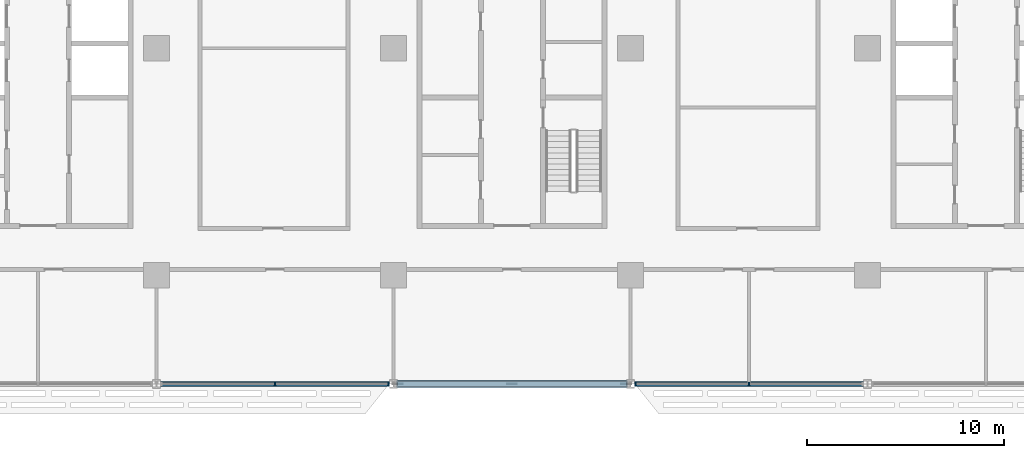
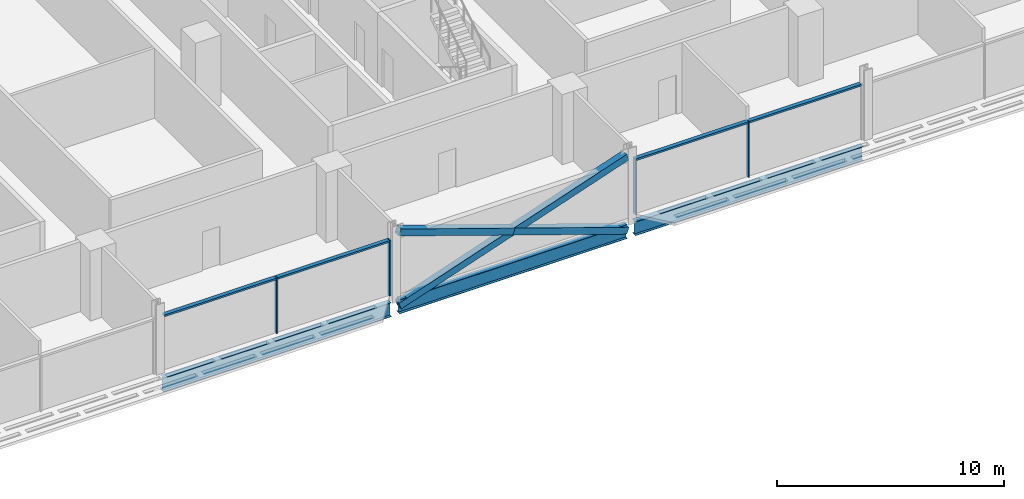
# One storey, part 5 of 28: 11 members, 3 beams, 2 elements without a shape of their own.
"""IFC4 building model written with IfcOpenShell, lengths in metres."""

from ifc_helpers import new_model, si_unit, direction, frame, origin, origin_2d, place, context, subcontext, project, spatial, rectangle, hollow_rectangle, i_section, extrude, material, material_profile, profile_set, type_object, element, aggregate, save


model = new_model("IFC4")

# Units and contexts
model_context = context("Model", 3, precision=1e-05, world=origin(), true_north=direction((0.0, 1.0)))
body_context = subcontext(model_context, "Body", "Model", "MODEL_VIEW")
ifc_project = project(units=[si_unit("LENGTHUNIT", "METRE"), si_unit("AREAUNIT", "SQUARE_METRE"), si_unit("VOLUMEUNIT", "CUBIC_METRE"), si_unit("PLANEANGLEUNIT", "RADIAN"), si_unit("MASSUNIT", "GRAM", prefix="KILO")], contexts=[model_context])

# Site, building, storey
site_placement = place(None, origin())
site = spatial("IfcSite", under=ifc_project, at=site_placement, CompositionType="ELEMENT")
building_placement = place(site_placement, origin())
building = spatial("IfcBuilding", under=site, at=building_placement, Name="Mahtab Terrace Research Tower", CompositionType="ELEMENT")
storey_placement = place(building_placement, frame((0.0, 0.0, 130.199951171875)))
storey = spatial("IfcBuildingStorey", under=building, at=storey_placement, Name="L30", CompositionType="ELEMENT", Elevation=130.199951171875)

# Members
ifc_material_1 = material(Name="Steel ASTM A500 Gr C", Category="steel")
ifc_material_profile_1 = material_profile(ifc_material_1, hollow_rectangle(XDim=0.355712890625, YDim=0.355712890625, WallThickness=0.01904296875, at=origin_2d()), Name="HSS14X14X3/4")
ifc_profile_set_1 = profile_set([ifc_material_profile_1], Name="Steel ASTM A500 Gr C")
member_type_1 = type_object("IfcMemberType", Name="HSS 14x14x3/4 brace XB141434", PredefinedType="BRACE", material=ifc_profile_set_1)
member_1_placement = place(storey_placement, frame((-5.794189453125, -17.0, -0.648193359375), z_axis=(0.946288278, 0.0, 0.323324132908), x_axis=(0.0, 1.0, 0.0)))
element("IfcMember", 1, at=member_1_placement, inside=storey, type_object=member_type_1, Name="Exoskeleton brace L30 17 a", PredefinedType="BRACE", context=body_context, shape_type="SweptSolid", body=[
    extrude(hollow_rectangle(XDim=0.355712890625, YDim=0.355712890625, WallThickness=0.01904296875, at=origin_2d()), origin(), (0.0, 0.0, 1.0), 12.24609375),
])
for number, where, z_axis, x_axis, name in (
    (2, (5.794189453125, -17.0, -0.648193359375), (-0.946288278, 0.0, 0.323324132908), (0.0, -1.0, 0.0), "Exoskeleton brace L30 17 b1"),
    (3, (0.0, -17.0, 1.33154296875), (-0.946288278, 0.0, 0.323324132908), (0.0, -1.0, 0.0), "Exoskeleton brace L30 17 b2"),
):
    element("IfcMember", number, at=place(storey_placement, frame(where, z_axis=z_axis, x_axis=x_axis)), inside=storey, type_object=member_type_1, Name=name, PredefinedType="BRACE", context=body_context, shape_type="SweptSolid", body=[
        extrude(hollow_rectangle(XDim=0.355712890625, YDim=0.355712890625, WallThickness=0.01904296875, at=origin_2d()), origin(), (0.0, 0.0, 1.0), 6.123046875),
    ])

# Curtain wall, members
ifc_material_2 = material(Name="Laboratory ribbon curtain wall")
curtain_wall_type = type_object("IfcCurtainWallType", Name="Laboratory ribbon curtain wall", PredefinedType="NOTDEFINED", material=ifc_material_2)
curtain_wall_1_placement = place(storey_placement, origin())
curtain_wall_1 = element("IfcCurtainWall", 4, at=curtain_wall_1_placement, inside=storey, type_object=curtain_wall_type, Name="EN.L30.13.26", PredefinedType="NOTDEFINED")
ifc_material_3 = material(Name="Natural anodised aluminium", Category="aluminium")
ifc_material_profile_2 = material_profile(ifc_material_3, rectangle(XDim=0.199951171875, YDim=0.06494140625, at=origin_2d()), Name="MULLION 65x200")
ifc_profile_set_2 = profile_set([ifc_material_profile_2], Name="Natural anodised aluminium")
member_type_2 = type_object("IfcMemberType", Name="Laboratory ribbon curtain wall mullion", PredefinedType="MULLION", material=ifc_profile_set_2)
member_2_placement = place(storey_placement, frame((-12.0, -17.0, 0.0), z_axis=(0.0, 0.0, 1.0), x_axis=(0.0, 1.0, 0.0)))
member_2 = element("IfcMember", 5, at=member_2_placement, type_object=member_type_2, Name="CWL-4 mullion 2", PredefinedType="MULLION", context=body_context, shape_type="SweptSolid", body=[
    extrude(rectangle(XDim=0.199951171875, YDim=0.06494140625, at=origin_2d()), origin(), (0.0, 0.0, 1.0), 3.003173828125),
])
member_3_placement = place(storey_placement, frame((-6.25048828125, -17.0, 0.0), z_axis=(0.0, 0.0, 1.0), x_axis=(0.0, 1.0, 0.0)))
member_3 = element("IfcMember", 6, at=member_3_placement, type_object=member_type_2, Name="CWL-4 mullion 3", PredefinedType="MULLION", context=body_context, shape_type="SweptSolid", body=[
    extrude(rectangle(XDim=0.199951171875, YDim=0.06494140625, at=origin_2d()), origin(), (0.0, 0.0, 1.0), 3.003173828125),
])

curtain_wall_2_placement = place(storey_placement, origin())
curtain_wall_2 = element("IfcCurtainWall", 7, at=curtain_wall_2_placement, inside=storey, type_object=curtain_wall_type, Name="EN.L30.13.28", PredefinedType="NOTDEFINED")
member_4_placement = place(storey_placement, frame((6.25048828125, -17.0, 0.0), z_axis=(0.0, 0.0, 1.0), x_axis=(0.0, 1.0, 0.0)))
member_4 = element("IfcMember", 8, at=member_4_placement, type_object=member_type_2, Name="CWL-4 mullion 1", PredefinedType="MULLION", context=body_context, shape_type="SweptSolid", body=[
    extrude(rectangle(XDim=0.199951171875, YDim=0.06494140625, at=origin_2d()), origin(), (0.0, 0.0, 1.0), 3.003173828125),
])
member_5_placement = place(storey_placement, frame((12.0, -17.0, 0.0), z_axis=(0.0, 0.0, 1.0), x_axis=(0.0, 1.0, 0.0)))
member_5 = element("IfcMember", 9, at=member_5_placement, type_object=member_type_2, Name="CWL-4 mullion 2", PredefinedType="MULLION", context=body_context, shape_type="SweptSolid", body=[
    extrude(rectangle(XDim=0.199951171875, YDim=0.06494140625, at=origin_2d()), origin(), (0.0, 0.0, 1.0), 3.003173828125),
])

# Member
ifc_material_profile_3 = material_profile(ifc_material_3, rectangle(XDim=0.199951171875, YDim=0.10009765625, at=origin_2d()), Name="TRANSOM 100x200")
ifc_profile_set_3 = profile_set([ifc_material_profile_3], Name="Natural anodised aluminium")
member_type_3 = type_object("IfcMemberType", Name="Laboratory ribbon curtain wall transom", PredefinedType="USERDEFINED", material=ifc_profile_set_3)
member_6_placement = place(storey_placement, frame((-17.717041015625, -17.0, 2.953125), z_axis=(1.0, 0.0, 0.0), x_axis=(0.0, 1.0, 0.0)))
member_6 = element("IfcMember", 10, at=member_6_placement, type_object=member_type_3, Name="CWL-4 transom 1", ObjectType="TRANSOM", PredefinedType="USERDEFINED", context=body_context, shape_type="SweptSolid", body=[
    extrude(rectangle(XDim=0.199951171875, YDim=0.10009765625, at=origin_2d()), origin(), (0.0, 0.0, 1.0), 5.6845703125),
])

member_7_placement = place(storey_placement, frame((-11.967529296875, -17.0, 2.953125), z_axis=(1.0, 0.0, 0.0), x_axis=(0.0, 1.0, 0.0)))
member_7 = element("IfcMember", 11, at=member_7_placement, type_object=member_type_3, Name="CWL-4 transom 2", ObjectType="TRANSOM", PredefinedType="USERDEFINED", context=body_context, shape_type="SweptSolid", body=[
    extrude(rectangle(XDim=0.199951171875, YDim=0.10009765625, at=origin_2d()), origin(), (0.0, 0.0, 1.0), 5.6845703125),
])

aggregate(curtain_wall_1, [member_2, member_3, member_6, member_7])

member_8_placement = place(storey_placement, frame((6.282958984375, -17.0, 2.953125), z_axis=(1.0, 0.0, 0.0), x_axis=(0.0, 1.0, 0.0)))
member_8 = element("IfcMember", 12, at=member_8_placement, type_object=member_type_3, Name="CWL-4 transom 1", ObjectType="TRANSOM", PredefinedType="USERDEFINED", context=body_context, shape_type="SweptSolid", body=[
    extrude(rectangle(XDim=0.199951171875, YDim=0.10009765625, at=origin_2d()), origin(), (0.0, 0.0, 1.0), 5.6845703125),
])

member_9_placement = place(storey_placement, frame((12.032470703125, -17.0, 2.953125), z_axis=(1.0, 0.0, 0.0), x_axis=(0.0, 1.0, 0.0)))
member_9 = element("IfcMember", 13, at=member_9_placement, type_object=member_type_3, Name="CWL-4 transom 2", ObjectType="TRANSOM", PredefinedType="USERDEFINED", context=body_context, shape_type="SweptSolid", body=[
    extrude(rectangle(XDim=0.199951171875, YDim=0.10009765625, at=origin_2d()), origin(), (0.0, 0.0, 1.0), 5.6845703125),
])

aggregate(curtain_wall_2, [member_4, member_5, member_8, member_9])

# Beams
ifc_material_4 = material(Name="Steel ASTM A992 Gr 50", Category="steel")
ifc_material_profile_4 = material_profile(ifc_material_4, i_section(OverallWidth=0.2666015625, OverallDepth=0.7568359375, WebThickness=0.013916015625, FlangeThickness=0.019287109375, at=origin_2d()), Name="W30X108")
ifc_profile_set_4 = profile_set([ifc_material_profile_4], Name="Steel ASTM A992 Gr 50")
beam_type = type_object("IfcBeamType", Name="W30x108 beam BS30108", PredefinedType="BEAM", material=ifc_profile_set_4)
for number, where, z_axis, x_axis, name in (
    (14, (-17.794189453125, -17.0, -0.718505859375), (1.0, 0.0, 0.0), (0.0, 1.0, 0.0), "Spandrel beam L30 16"),
    (15, (-5.794189453125, -17.0, -0.718505859375), (1.0, 0.0, 0.0), (0.0, 1.0, 0.0), "Spandrel beam L30 17"),
    (16, (6.205810546875, -17.0, -0.718505859375), (1.0, 0.0, 0.0), (0.0, 1.0, 0.0), "Spandrel beam L30 18"),
):
    element("IfcBeam", number, at=place(storey_placement, frame(where, z_axis=z_axis, x_axis=x_axis)), inside=storey, type_object=beam_type, Name=name, PredefinedType="BEAM", context=body_context, shape_type="SweptSolid", body=[
        extrude(i_section(OverallWidth=0.2666015625, OverallDepth=0.7568359375, WebThickness=0.013916015625, FlangeThickness=0.019287109375, at=origin_2d()), origin(), (0.0, 0.0, 1.0), 11.58837890625),
    ])

save(model, "model.ifc")
